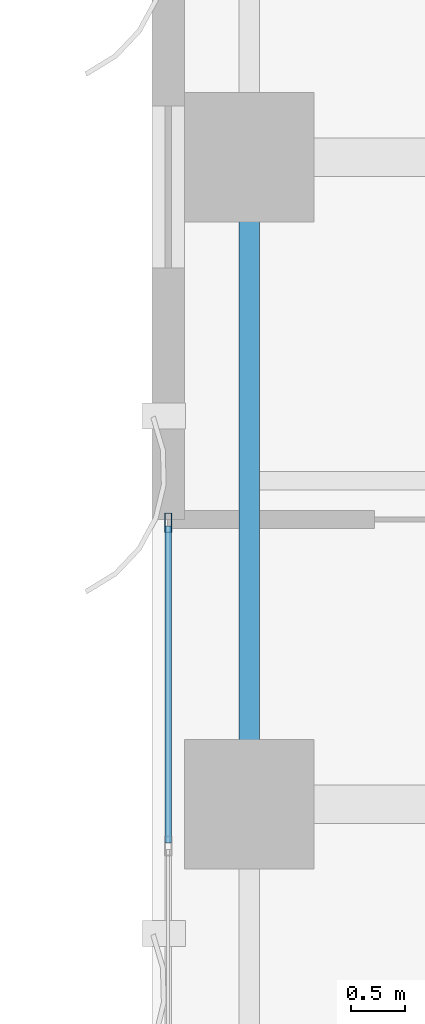
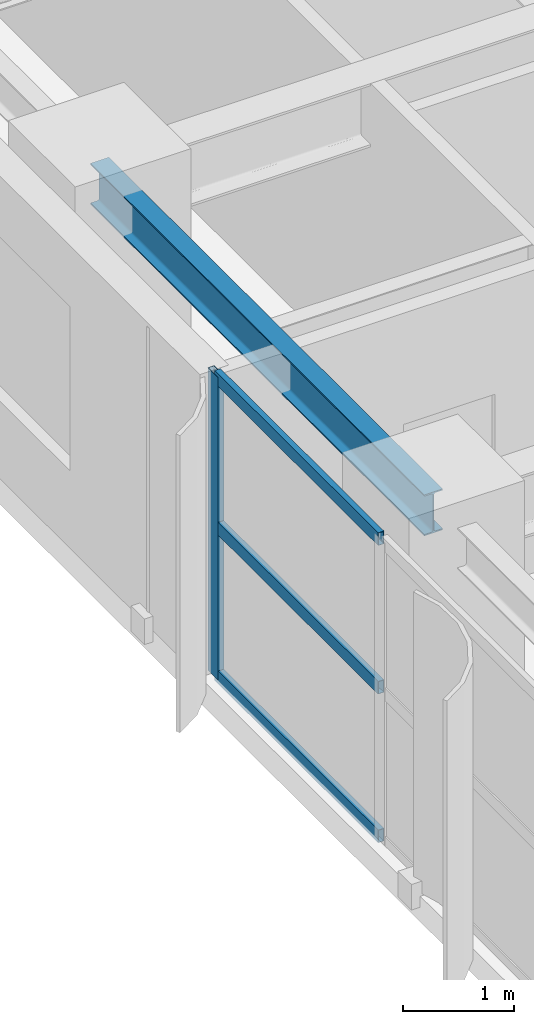
# One storey, part 10 of 25: 4 members, 1 beam, 1 element without a shape of its own.
"""IFC4 building model written with IfcOpenShell, lengths in metres."""

from ifc_helpers import new_model, si_unit, direction, frame, origin, origin_2d, place, context, subcontext, project, spatial, hollow_rectangle, i_section, extrude, source, transform, mapped, material, layer, layer_set, material_profile, profile_set, type_object, element, aggregate, save


model = new_model("IFC4")

# Units and contexts
model_context = context("Model", 3, precision=1e-05, world=origin(), true_north=direction((0.0, 1.0)))
body_context = subcontext(model_context, "Body", "Model", "MODEL_VIEW")
ifc_project = project(units=[si_unit("LENGTHUNIT", "METRE"), si_unit("AREAUNIT", "SQUARE_METRE"), si_unit("VOLUMEUNIT", "CUBIC_METRE"), si_unit("PLANEANGLEUNIT", "RADIAN"), si_unit("MASSUNIT", "GRAM", prefix="KILO")], contexts=[model_context])

# Site, building, storey
site_placement = place(None, origin())
site = spatial("IfcSite", under=ifc_project, at=site_placement, CompositionType="ELEMENT")
building_placement = place(site_placement, origin())
building = spatial("IfcBuilding", under=site, at=building_placement, Name="Khoralis Quay Care Tower", CompositionType="ELEMENT")
storey_placement = place(building_placement, frame((0.0, 0.0, 65.699951171875)))
storey = spatial("IfcBuildingStorey", under=building, at=storey_placement, Name="L17", CompositionType="ELEMENT", Elevation=65.699951171875)

# Beam
ifc_material_1 = material(Name="Steel S355", Category="steel")
ifc_material_profile_1 = material_profile(ifc_material_1, i_section(OverallWidth=0.18994140625, OverallDepth=0.449951171875, WebThickness=0.009521484375, FlangeThickness=0.0146484375, FilletRadius=0.02099609375, at=origin_2d()), Name="Steel S355")
ifc_profile_set_1 = profile_set([ifc_material_profile_1], Name="Steel S355")
beam_type = type_object("IfcBeamType", Name="BM-IPE450", PredefinedType="SPANDREL", material=ifc_profile_set_1)
shared_shape_1 = source(origin(), body_context, "Body", "SweptSolid", [
    extrude(i_section(OverallWidth=0.18994140625, OverallDepth=0.449951171875, WebThickness=0.009521484375, FlangeThickness=0.0146484375, FilletRadius=0.02099609375, at=origin_2d()), origin(), (0.0, 0.0, 1.0), 6.0),
])
beam_placement = place(storey_placement, frame((0.89990234375, 30.0, 3.094970703125), z_axis=(0.0, 1.0, 0.0), x_axis=(-1.0, 0.0, 0.0)))
element("IfcBeam", 1, at=beam_placement, inside=storey, type_object=beam_type, Name="BM-TSP-L17-17", PredefinedType="SPANDREL", context=body_context, shape_type="MappedRepresentation", body=[
    mapped(shared_shape_1, transform((0.0, 0.0, 0.0), scale=1.0)),
])

# Curtain wall, members
ifc_material_2 = material(Name="Pale anodised aluminium", Category="aluminium")
ifc_layer = layer(ifc_material_2, 0.179931640625)
ifc_layer_set = layer_set([ifc_layer], Name="Pale anodised aluminium")
curtain_wall_type = type_object("IfcCurtainWallType", Name="CW-SYS-Z1", PredefinedType="NOTDEFINED", material=ifc_layer_set)
curtain_wall_placement = place(storey_placement, origin())
curtain_wall = element("IfcCurtainWall", 2, at=curtain_wall_placement, inside=storey, type_object=curtain_wall_type, Name="L17 Unitised Curtain Wall CW-L17-P1-E15", PredefinedType="NOTDEFINED")
ifc_material_profile_2 = material_profile(ifc_material_2, hollow_rectangle(XDim=0.06494140625, YDim=0.179931640625, WallThickness=0.00390625, at=origin_2d()), Name="Pale anodised aluminium")
ifc_profile_set_2 = profile_set([ifc_material_profile_2], Name="Pale anodised aluminium")
member_type_1 = type_object("IfcMemberType", Name="CW-MUL-180", PredefinedType="MULLION", material=ifc_profile_set_2)
shared_shape_2 = source(origin(), body_context, "Body", "SweptSolid", [
    extrude(hollow_rectangle(XDim=0.06494140625, YDim=0.179931640625, WallThickness=0.00390625, at=origin_2d()), origin(), (0.0, 0.0, 1.0), 3.320068359375),
])
member_1_placement = place(storey_placement, frame((0.14990234375, 32.610107421875, 0.0), z_axis=(0.0, 0.0, 1.0), x_axis=(1.0, 0.0, 0.0)))
member_1 = element("IfcMember", 3, at=member_1_placement, type_object=member_type_1, Name="CW1 mullion 1", PredefinedType="MULLION", context=body_context, shape_type="MappedRepresentation", body=[
    mapped(shared_shape_2, transform((0.0, 0.0, 0.0), scale=1.0)),
])
ifc_material_profile_3 = material_profile(ifc_material_2, hollow_rectangle(XDim=0.06005859375, YDim=0.139892578125, WallThickness=0.00390625, at=origin_2d()), Name="Pale anodised aluminium")
ifc_profile_set_3 = profile_set([ifc_material_profile_3], Name="Pale anodised aluminium")
member_type_2 = type_object("IfcMemberType", Name="CW-TRN-140", PredefinedType="USERDEFINED", material=ifc_profile_set_3)
shared_shape_3 = source(origin(), body_context, "Body", "SweptSolid", [
    extrude(hollow_rectangle(XDim=0.06005859375, YDim=0.139892578125, WallThickness=0.00390625, at=origin_2d()), origin(), (0.0, 0.0, 1.0), 2.93798828125),
])
member_2_placement = place(storey_placement, frame((0.14990234375, 32.580078125, 0.030029296875), z_axis=(0.0, -1.0, 0.0), x_axis=(1.0, 0.0, 0.0)))
member_2 = element("IfcMember", 4, at=member_2_placement, type_object=member_type_2, Name="CW1 transom 1.1", ObjectType="TRANSOM", PredefinedType="USERDEFINED", context=body_context, shape_type="MappedRepresentation", body=[
    mapped(shared_shape_3, transform((0.0, 0.0, 0.0), scale=1.0)),
])
member_3_placement = place(storey_placement, frame((0.14990234375, 32.580078125, 1.66015625), z_axis=(0.0, -1.0, 0.0), x_axis=(1.0, 0.0, 0.0)))
member_3 = element("IfcMember", 5, at=member_3_placement, type_object=member_type_2, Name="CW1 transom 1.2", ObjectType="TRANSOM", PredefinedType="USERDEFINED", context=body_context, shape_type="MappedRepresentation", body=[
    mapped(shared_shape_3, transform((0.0, 0.0, 0.0), scale=1.0)),
])
member_4_placement = place(storey_placement, frame((0.14990234375, 32.580078125, 3.2900390625), z_axis=(0.0, -1.0, 0.0), x_axis=(1.0, 0.0, 0.0)))
member_4 = element("IfcMember", 6, at=member_4_placement, type_object=member_type_2, Name="CW1 transom 1.3", ObjectType="TRANSOM", PredefinedType="USERDEFINED", context=body_context, shape_type="MappedRepresentation", body=[
    mapped(shared_shape_3, transform((0.0, 0.0, 0.0), scale=1.0)),
])
aggregate(curtain_wall, [member_1, member_2, member_3, member_4])

save(model, "model.ifc")
